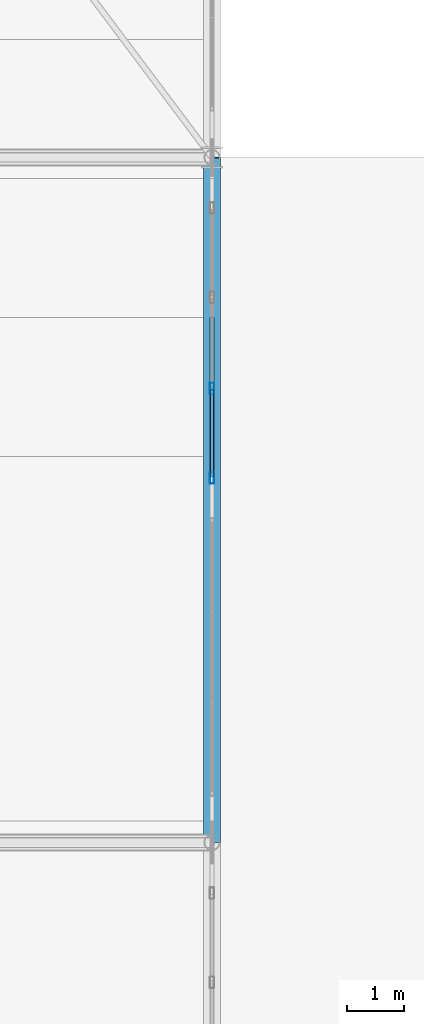
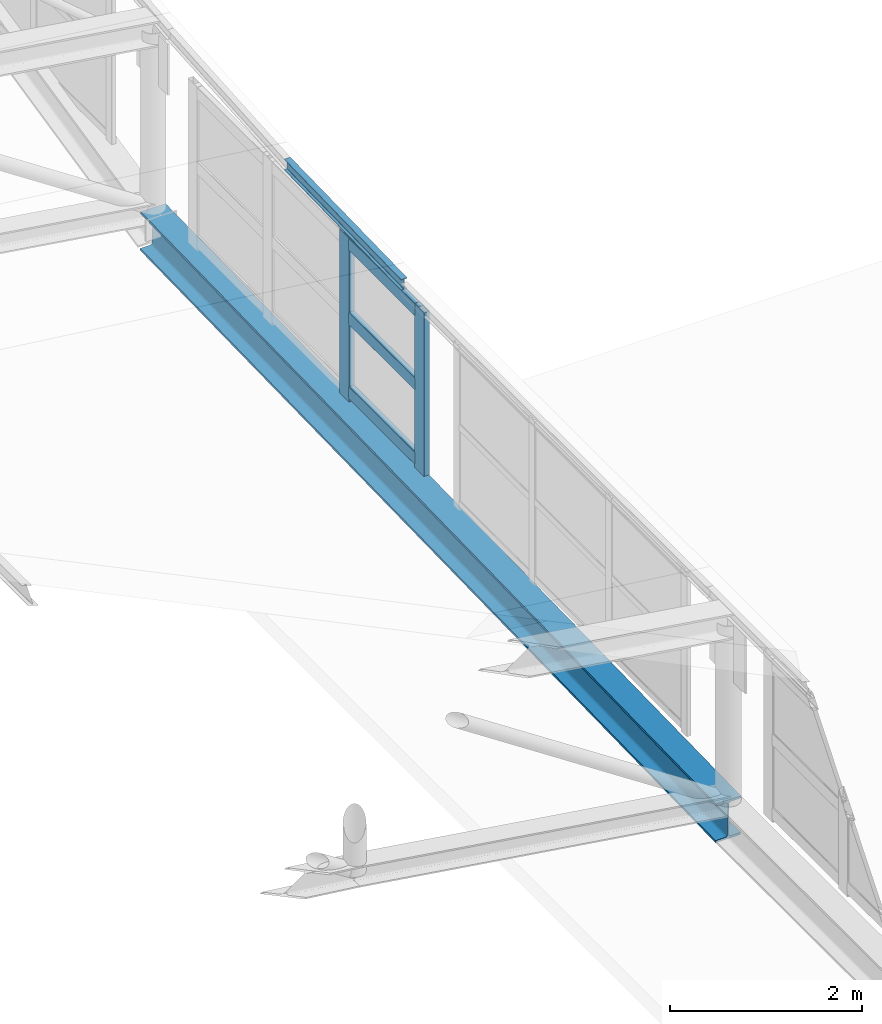
# One storey, part 122 of 262: 6 members, 1 beam, 1 element without a shape of its own.
"""IFC4 building model written with IfcOpenShell, lengths in metres."""

import ifcopenshell
import ifcopenshell.guid

model = None  # the IFC model being written
_history = None  # IfcOwnerHistory: only IFC2X3 demands one
_inside = {}  # id of a spatial element -> (the spatial element, [elements in it])
_under = {}  # id of a project, library or spatial element -> (it, [spatial elements below it])
_declared = {}  # id of a project -> (the project, [libraries it declares])
_typed = {}  # id of a type object -> (the type object, [elements of that type])
_made_of = {}  # id of a material, layer set ... -> (it, [elements and type objects made of it])


def new_model(schema):
    """Start an empty IFC model of exactly this schema.

    Asked for "IFC4X3", IfcOpenShell would pick the latest addendum, in which some entities
    have other attributes; the version numbers below select the first issue.
    IFC2X3 requires an IfcOwnerHistory on every rooted entity: one is made here for all.
    """
    global model, _history
    if schema == "IFC4X3":
        model = ifcopenshell.file(schema_version=(4, 3, 0, 0))
    else:
        model = ifcopenshell.file(schema=schema)
    _inside.clear()
    _under.clear()
    _declared.clear()
    _typed.clear()
    _made_of.clear()
    _history = None
    if model.schema == "IFC2X3":
        org = make("IfcOrganization", Name="unknown")
        user = make(
            "IfcPersonAndOrganization",
            ThePerson=make("IfcPerson", FamilyName="unknown"),
            TheOrganization=org,
        )
        app = make(
            "IfcApplication",
            ApplicationDeveloper=org,
            Version="unknown",
            ApplicationFullName="unknown",
            ApplicationIdentifier="unknown",
        )
        _history = make(
            "IfcOwnerHistory",
            OwningUser=user,
            OwningApplication=app,
            ChangeAction="ADDED",
            CreationDate=0,
        )
    return model


def make(cls, **values):
    """One entity of the class cls with the attributes given. An attribute that is None is left unset."""
    return model.create_entity(
        cls, **{name: value for name, value in values.items() if value is not None}
    )


def rooted(cls, **values):
    """An entity with a GlobalId (a new one), such as an element, a storey or a relation."""
    return make(cls, GlobalId=ifcopenshell.guid.new(), OwnerHistory=_history, **values)


def si_unit(unit_type, name, prefix=None):
    """IfcSIUnit, for example si_unit("LENGTHUNIT", "METRE", prefix="MILLI")."""
    return make("IfcSIUnit", UnitType=unit_type, Prefix=prefix, Name=name)


def derived_unit(unit_type, elements):
    """IfcDerivedUnit: a product of units, each with its exponent."""
    return make(
        "IfcDerivedUnit",
        Elements=[
            make("IfcDerivedUnitElement", Unit=unit, Exponent=power)
            for unit, power in elements
        ],
        UnitType=unit_type,
    )


def assignment(units):
    """IfcUnitAssignment: the units of a project."""
    return None if units is None else make("IfcUnitAssignment", Units=units)


def point(xyz):
    """IfcCartesianPoint."""
    return None if xyz is None else make("IfcCartesianPoint", Coordinates=xyz)


def direction(xyz):
    """IfcDirection."""
    return None if xyz is None else make("IfcDirection", DirectionRatios=xyz)


def frame(location, z_axis=None, x_axis=None):
    """IfcAxis2Placement3D, a coordinate frame: its origin and axes. An axis left out is left unset."""
    return make(
        "IfcAxis2Placement3D",
        Location=point(location),
        Axis=direction(z_axis),
        RefDirection=direction(x_axis),
    )


def frame_2d(location, x_axis=None):
    """IfcAxis2Placement2D, a coordinate frame in the plane: its origin and x axis."""
    return make(
        "IfcAxis2Placement2D", Location=point(location), RefDirection=direction(x_axis)
    )


def origin():
    """The frame at (0, 0, 0) with its axes left unset."""
    return frame((0.0, 0.0, 0.0))


def origin_2d():
    """The frame at (0, 0) in the plane with its x axis left unset."""
    return frame_2d((0.0, 0.0))


def place(relative_to, where):
    """IfcLocalPlacement: puts the frame where relative to a parent placement (None: the world)."""
    return make(
        "IfcLocalPlacement", PlacementRelTo=relative_to, RelativePlacement=where
    )


def context(
    kind, dimensions, precision=None, world=None, true_north=None, identifier=None
):
    """IfcGeometricRepresentationContext, for example the 3D "Model" context."""
    return make(
        "IfcGeometricRepresentationContext",
        ContextIdentifier=identifier,
        ContextType=kind,
        CoordinateSpaceDimension=dimensions,
        Precision=precision,
        WorldCoordinateSystem=world,
        TrueNorth=true_north,
    )


def subcontext(parent, identifier, kind, view, scale=None):
    """IfcGeometricRepresentationSubContext, for example "Body" below "Model"."""
    return make(
        "IfcGeometricRepresentationSubContext",
        ContextIdentifier=identifier,
        ContextType=kind,
        ParentContext=parent,
        TargetScale=scale,
        TargetView=view,
    )


def project(units=None, contexts=None):
    """IfcProject with its units and contexts."""
    return rooted(
        "IfcProject",
        Name="project",
        RepresentationContexts=contexts,
        UnitsInContext=assignment(units),
    )


def spatial(cls, under=None, at=None, **own):
    """A site, building, storey or space (cls), placed at a placement, below another one or the project."""
    s = rooted(cls, ObjectPlacement=at, **own)
    if under is not None:
        _under.setdefault(under.id(), (under, []))[1].append(s)
    return s


def profile(cls, at=None, kind="AREA", **sizes):
    """A parametric profile (cls). Its sizes go by their IFC names, for example OverallWidth=200.0."""
    return make(cls, ProfileType=kind, Position=at, **sizes)


def hollow_rectangle(**sizes):
    """IfcRectangleHollowProfileDef."""
    return profile("IfcRectangleHollowProfileDef", **sizes)


def i_section(**sizes):
    """IfcIShapeProfileDef."""
    return profile("IfcIShapeProfileDef", **sizes)


def extrude(swept, where, along, depth):
    """IfcExtrudedAreaSolid: the profile swept, set in the frame where, extruded along a direction by depth."""
    return make(
        "IfcExtrudedAreaSolid",
        SweptArea=swept,
        Position=where,
        ExtrudedDirection=direction(along),
        Depth=depth,
    )


def shape(context_of_items, identifier, shape_type, items):
    """IfcShapeRepresentation: the items that make up one representation, for example the "Body"."""
    return make(
        "IfcShapeRepresentation",
        ContextOfItems=context_of_items,
        RepresentationIdentifier=identifier,
        RepresentationType=shape_type,
        Items=items,
    )


def material(Name=None, Category=None):
    """IfcMaterial."""
    return make("IfcMaterial", Name=Name, Category=Category)


def layer(
    of_material, thickness, ventilated=None, Name=None, Category=None, Priority=None
):
    """IfcMaterialLayer: one layer of a wall or slab, of a material (None: an air gap)."""
    return make(
        "IfcMaterialLayer",
        Material=of_material,
        LayerThickness=thickness,
        IsVentilated=ventilated,
        Name=Name,
        Category=Category,
        Priority=Priority,
    )


def layer_set(layers, Name=None):
    """IfcMaterialLayerSet."""
    return make("IfcMaterialLayerSet", MaterialLayers=layers, LayerSetName=Name)


def material_profile(
    of_material, cross_section, Name=None, Category=None, Priority=None
):
    """IfcMaterialProfile: a cross section and its material."""
    return make(
        "IfcMaterialProfile",
        Name=Name,
        Material=of_material,
        Profile=cross_section,
        Priority=Priority,
        Category=Category,
    )


def profile_set(profiles, Name=None, composite=None):
    """IfcMaterialProfileSet."""
    return make(
        "IfcMaterialProfileSet",
        Name=Name,
        MaterialProfiles=profiles,
        CompositeProfile=composite,
    )


def made_of(thing, what):
    """Note that an element or type object is made of a material, layer set ...; save() writes the relation."""
    if what is not None:
        _made_of.setdefault(what.id(), (what, []))[1].append(thing)
    return thing


def type_object(cls, material=None, **own):
    """A type object (cls), such as IfcWallType, which elements share."""
    return made_of(rooted(cls, **own), material)


def element(
    cls,
    number,
    at=None,
    inside=None,
    cuts=None,
    type_object=None,
    material=None,
    context=None,
    identifier="Body",
    shape_type=None,
    held_by="IfcProductDefinitionShape",
    body=None,
    shapes=None,
    **own,
):
    """One element of the class cls, such as IfcWall. Its Tag is "e" and its number.

    at: its placement. inside: the storey or other place that contains it. cuts: it is an
    opening in that element (IfcRelVoidsElement). A single representation is given by context,
    identifier, shape_type and body (its items); several are given by shapes. held_by: the class
    of the entity that holds the representations. save() writes the other relations.
    """
    e = rooted(cls, Tag="e%d" % number, ObjectPlacement=at, **own)
    if body is not None:
        shapes = [shape(context, identifier, shape_type, body)]
    if shapes is not None:
        e.Representation = make(held_by, Representations=shapes)
    if inside is not None:
        _inside.setdefault(inside.id(), (inside, []))[1].append(e)
    if cuts is not None:
        rooted(
            "IfcRelVoidsElement", RelatingBuildingElement=cuts, RelatedOpeningElement=e
        )
    if type_object is not None:
        _typed.setdefault(type_object.id(), (type_object, []))[1].append(e)
    return made_of(e, material)


def aggregate(whole, parts):
    """IfcRelAggregates: a whole, such as a stair, and the parts it consists of."""
    return rooted("IfcRelAggregates", RelatingObject=whole, RelatedObjects=parts)


def save(model, path):
    """Write the relations noted so far, then the file.

    IfcRelAggregates (storeys below a building ...), IfcRelContainedInSpatialStructure (elements
    in a storey), IfcRelDefinesByType, IfcRelAssociatesMaterial and IfcRelDeclares: one each for
    every whole, place, type object, material and project.
    """
    for whole, parts in _under.values():
        aggregate(whole, parts)
    for where, things in _inside.values():
        rooted(
            "IfcRelContainedInSpatialStructure",
            RelatedElements=things,
            RelatingStructure=where,
        )
    for kind, things in _typed.values():
        rooted("IfcRelDefinesByType", RelatedObjects=things, RelatingType=kind)
    for what, things in _made_of.values():
        rooted("IfcRelAssociatesMaterial", RelatedObjects=things, RelatingMaterial=what)
    for by, libraries in _declared.values():
        rooted("IfcRelDeclares", RelatingContext=by, RelatedDefinitions=libraries)
    model.write(path)


model = new_model("IFC4")

# Units and contexts
model_context = context("Model", 3, precision=1e-05, world=origin(), true_north=direction((0.0, 1.0)))
body_context = subcontext(model_context, "Body", "Model", "MODEL_VIEW")
ifc_project = project(units=[si_unit("LENGTHUNIT", "METRE"), si_unit("AREAUNIT", "SQUARE_METRE"), si_unit("VOLUMEUNIT", "CUBIC_METRE"), si_unit("PLANEANGLEUNIT", "RADIAN"), si_unit("MASSUNIT", "GRAM", prefix="KILO"), derived_unit("THERMALTRANSMITTANCEUNIT", [(si_unit("POWERUNIT", "WATT"), 1), (si_unit("LENGTHUNIT", "METRE"), -2), (si_unit("THERMODYNAMICTEMPERATUREUNIT", "KELVIN"), -1)])], contexts=[model_context])

# Site, building, storey
site_placement = place(None, origin())
site = spatial("IfcSite", under=ifc_project, at=site_placement, CompositionType="ELEMENT")
building_placement = place(site_placement, origin())
building = spatial("IfcBuilding", under=site, at=building_placement, Name="Almenara Railside Exhibition Hall", CompositionType="ELEMENT")
storey_placement = place(building_placement, frame((0.0, 0.0, 21.699951171875)))
storey = spatial("IfcBuildingStorey", under=building, at=storey_placement, Name="RF", CompositionType="ELEMENT", Elevation=21.699951171875)

# Member
ifc_material_1 = material(Name="Structural steel S355JR", Category="steel")
ifc_material_profile_1 = material_profile(ifc_material_1, i_section(OverallWidth=0.072998046875, OverallDepth=0.139892578125, WebThickness=0.004638671875, FlangeThickness=0.0068359375, FilletRadius=0.007080078125, at=origin_2d()), Name="IPE 140")
ifc_profile_set_1 = profile_set([ifc_material_profile_1], Name="Structural steel S355JR")
member_type_1 = type_object("IfcMemberType", Name="Canopy Edge Purlin IPE 140 S355JR", PredefinedType="PURLIN", material=ifc_profile_set_1)
member_1_placement = place(storey_placement, frame((66.0, 102.759521484375, 0.065185546875), z_axis=(0.0, 0.999725289903, 0.023438104182), x_axis=(-1.0, 0.0, 0.0)))
element("IfcMember", 1, at=member_1_placement, inside=storey, type_object=member_type_1, Name="MEM-PR-V1-PR-IPE140-08-16", PredefinedType="PURLIN", context=body_context, shape_type="SweptSolid", body=[
    extrude(i_section(OverallWidth=0.072998046875, OverallDepth=0.139892578125, WebThickness=0.004638671875, FlangeThickness=0.0068359375, FilletRadius=0.007080078125, at=origin_2d()), origin(), (0.0, 0.0, 1.0), 2.4375),
])

# Curtain wall, members
ifc_material_2 = material(Name="Bronze-anodised aluminium and low-E double glazing", Category="aluminium")
ifc_layer = layer(ifc_material_2, 0.179931640625, Name="Bronze-anodised aluminium and low-E double glazing")
ifc_layer_set = layer_set([ifc_layer], Name="Bronze-anodised aluminium and low-E double glazing")
curtain_wall_type = type_object("IfcCurtainWallType", Name="West Hall Clerestory Curtain Wall 4200x2400", PredefinedType="NOTDEFINED", material=ifc_layer_set)
curtain_wall_placement = place(storey_placement, origin())
curtain_wall = element("IfcCurtainWall", 2, at=curtain_wall_placement, inside=storey, type_object=curtain_wall_type, Name="Curtain wall CW-CL1-187", PredefinedType="NOTDEFINED")
ifc_material_3 = material(Name="Bronze-anodised aluminium", Category="aluminium")
ifc_material_profile_2 = material_profile(ifc_material_3, hollow_rectangle(XDim=0.070068359375, YDim=0.199951171875, WallThickness=0.00439453125, InnerFilletRadius=0.00439453125, OuterFilletRadius=0.009033203125, at=origin_2d()), Name="ALU-MUL 70x200x4.5")
ifc_profile_set_2 = profile_set([ifc_material_profile_2], Name="Bronze-anodised aluminium")
member_type_2 = type_object("IfcMemberType", Name="Curtain Wall Mullion 70x200x4.5", PredefinedType="MULLION", material=ifc_profile_set_2)
member_2_placement = place(storey_placement, frame((66.0, 102.385009765625, -2.0849609375), z_axis=(0.0, 0.0, 1.0), x_axis=(-1.0, 0.0, 0.0)))
member_2 = element("IfcMember", 3, at=member_2_placement, type_object=member_type_2, Name="CW-CL1-187 mullion 1", PredefinedType="MULLION", context=body_context, shape_type="SweptSolid", body=[
    extrude(hollow_rectangle(XDim=0.070068359375, YDim=0.199951171875, WallThickness=0.00439453125, InnerFilletRadius=0.00439453125, OuterFilletRadius=0.009033203125, at=origin_2d()), origin(), (0.0, 0.0, 1.0), 2.0849609375),
])
member_3_placement = place(storey_placement, frame((66.0, 103.949951171875, -2.0849609375), z_axis=(0.0, 0.0, 1.0), x_axis=(-1.0, 0.0, 0.0)))
member_3 = element("IfcMember", 4, at=member_3_placement, type_object=member_type_2, Name="CW-CL1-187 mullion 2", PredefinedType="MULLION", context=body_context, shape_type="SweptSolid", body=[
    extrude(hollow_rectangle(XDim=0.070068359375, YDim=0.199951171875, WallThickness=0.00439453125, InnerFilletRadius=0.00439453125, OuterFilletRadius=0.009033203125, at=origin_2d()), origin(), (0.0, 0.0, 1.0), 2.0849609375),
])
ifc_material_profile_3 = material_profile(ifc_material_3, hollow_rectangle(XDim=0.070068359375, YDim=0.159912109375, WallThickness=0.00390625, InnerFilletRadius=0.00390625, OuterFilletRadius=0.008056640625, at=origin_2d()), Name="ALU-TRN 70x160x4")
ifc_profile_set_3 = profile_set([ifc_material_profile_3], Name="Bronze-anodised aluminium")
member_type_3 = type_object("IfcMemberType", Name="Curtain Wall Transom 70x160x4", PredefinedType="USERDEFINED", material=ifc_profile_set_3)
member_4_placement = place(storey_placement, frame((66.0, 102.412109375, -1.969970703125), z_axis=(0.0, 1.0, 0.0), x_axis=(-1.0, 0.0, 0.0)))
member_4 = element("IfcMember", 5, at=member_4_placement, type_object=member_type_3, Name="CW-CL1-187 transom 1.1", ObjectType="TRANSOM", PredefinedType="USERDEFINED", context=body_context, shape_type="SweptSolid", body=[
    extrude(hollow_rectangle(XDim=0.070068359375, YDim=0.159912109375, WallThickness=0.00390625, InnerFilletRadius=0.00390625, OuterFilletRadius=0.008056640625, at=origin_2d()), origin(), (0.0, 0.0, 1.0), 1.510986328125),
])
member_5_placement = place(storey_placement, frame((66.0, 102.412109375, -1.02490234375), z_axis=(0.0, 1.0, 0.0), x_axis=(-1.0, 0.0, 0.0)))
member_5 = element("IfcMember", 6, at=member_5_placement, type_object=member_type_3, Name="CW-CL1-187 transom 1.2", ObjectType="TRANSOM", PredefinedType="USERDEFINED", context=body_context, shape_type="SweptSolid", body=[
    extrude(hollow_rectangle(XDim=0.070068359375, YDim=0.159912109375, WallThickness=0.00390625, InnerFilletRadius=0.00390625, OuterFilletRadius=0.008056640625, at=origin_2d()), origin(), (0.0, 0.0, 1.0), 1.510986328125),
])
member_6_placement = place(storey_placement, frame((66.0, 102.412109375, -0.079833984375), z_axis=(0.0, 1.0, 0.0), x_axis=(-1.0, 0.0, 0.0)))
member_6 = element("IfcMember", 7, at=member_6_placement, type_object=member_type_3, Name="CW-CL1-187 transom 1.3", ObjectType="TRANSOM", PredefinedType="USERDEFINED", context=body_context, shape_type="SweptSolid", body=[
    extrude(hollow_rectangle(XDim=0.070068359375, YDim=0.159912109375, WallThickness=0.00390625, InnerFilletRadius=0.00390625, OuterFilletRadius=0.008056640625, at=origin_2d()), origin(), (0.0, 0.0, 1.0), 1.510986328125),
])
aggregate(curtain_wall, [member_2, member_3, member_4, member_5, member_6])

# Beam
ifc_material_profile_4 = material_profile(ifc_material_1, i_section(OverallWidth=0.300048828125, OverallDepth=0.5, WebThickness=0.014404296875, FlangeThickness=0.028076171875, FilletRadius=0.027099609375, at=origin_2d()), Name="HEB 500")
ifc_profile_set_4 = profile_set([ifc_material_profile_4], Name="Structural steel S355JR")
beam_type = type_object("IfcBeamType", Name="Steel Heavy Eaves Girder HEB 500 S355JR", PredefinedType="USERDEFINED", material=ifc_profile_set_4)
beam_placement = place(storey_placement, frame((66.0, 96.0, -2.64990234375), z_axis=(0.0, 0.999756898414, 0.022048675087), x_axis=(-1.0, 0.0, 0.0)))
element("IfcBeam", 8, at=beam_placement, inside=storey, type_object=beam_type, Name="Beam 0970", ObjectType="GIRDER", PredefinedType="USERDEFINED", context=body_context, shape_type="SweptSolid", body=[
    extrude(i_section(OverallWidth=0.300048828125, OverallDepth=0.5, WebThickness=0.014404296875, FlangeThickness=0.028076171875, FilletRadius=0.027099609375, at=origin_2d()), origin(), (0.0, 0.0, 1.0), 12.0029296875),
])

save(model, "model.ifc")
